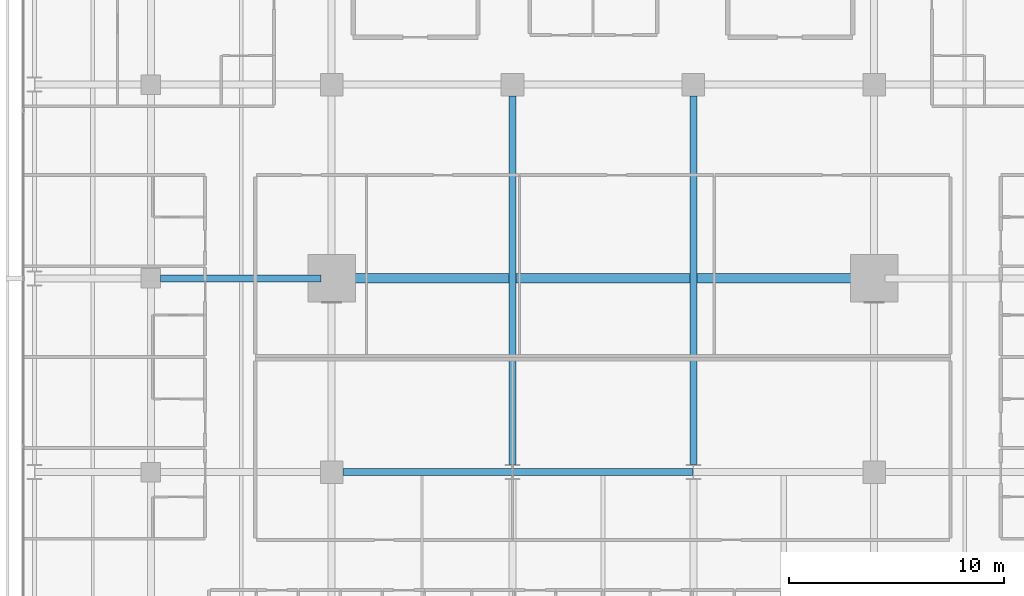
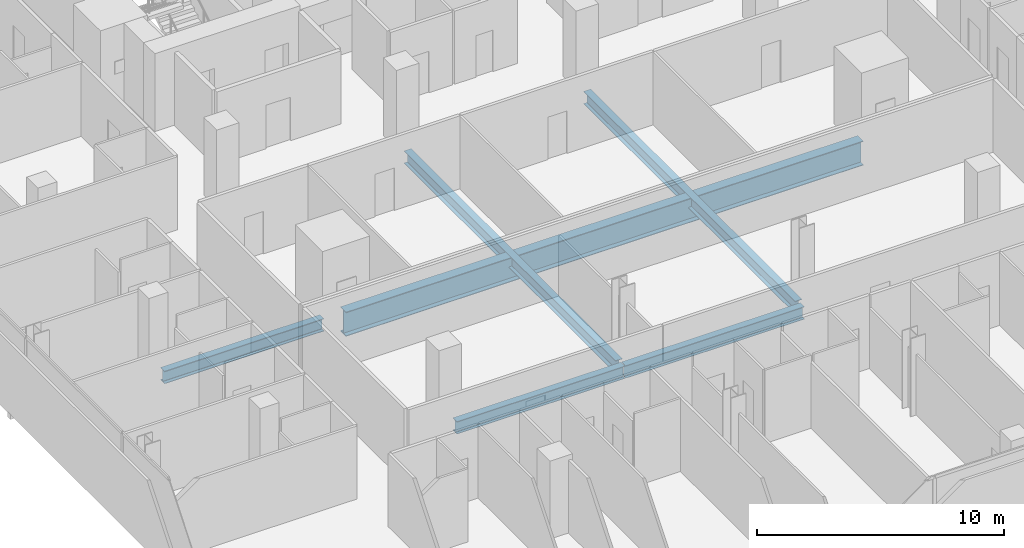
# One storey, part 13 of 40: 6 beams.
"""IFC4 building model written with IfcOpenShell, lengths in metres."""

from ifc_helpers import new_model, si_unit, direction, frame, origin, origin_2d, place, context, subcontext, project, spatial, i_section, extrude, material, material_profile, profile_set, type_object, element, save


model = new_model("IFC4")

# Units and contexts
model_context = context("Model", 3, precision=1e-05, world=origin(), true_north=direction((0.0, 1.0)))
body_context = subcontext(model_context, "Body", "Model", "MODEL_VIEW")
ifc_project = project(units=[si_unit("LENGTHUNIT", "METRE"), si_unit("AREAUNIT", "SQUARE_METRE"), si_unit("VOLUMEUNIT", "CUBIC_METRE"), si_unit("PLANEANGLEUNIT", "RADIAN"), si_unit("MASSUNIT", "GRAM", prefix="KILO")], contexts=[model_context])

# Site, building, storey
site_placement = place(None, origin())
site = spatial("IfcSite", under=ifc_project, at=site_placement, CompositionType="ELEMENT")
building_placement = place(site_placement, origin())
building = spatial("IfcBuilding", under=site, at=building_placement, Name="Maruvema Waterfront Hotel and Observation Tower", CompositionType="ELEMENT")
storey_placement = place(building_placement, frame((0.0, 0.0, 38.5)))
storey = spatial("IfcBuildingStorey", under=building, at=storey_placement, Name="L08", CompositionType="ELEMENT", Elevation=38.5)

# Beams
ifc_material_1 = material(Name="Steel ASTM A572 Grade 50", Category="steel")
ifc_material_profile_1 = material_profile(ifc_material_1, i_section(OverallWidth=0.326904296875, OverallDepth=0.6220703125, WebThickness=0.015380859375, FlangeThickness=0.0244140625, FilletRadius=0.01806640625, at=origin_2d()), Name="W610x195.0")
ifc_profile_set_1 = profile_set([ifc_material_profile_1], Name="Steel ASTM A572 Grade 50")
beam_type_1 = type_object("IfcBeamType", Name="Primary Floor Girder W610x195.0", PredefinedType="BEAM", material=ifc_profile_set_1)
beam_1_placement = place(storey_placement, frame((25.72509765625, 18.0, -0.551025390625), z_axis=(1.0, 0.0, 0.0), x_axis=(0.0, 1.0, 0.0)))
element("IfcBeam", 1, at=beam_1_placement, inside=storey, type_object=beam_type_1, Name="L08 Floor Girder EW-15", PredefinedType="BEAM", context=body_context, shape_type="SweptSolid", body=[
    extrude(i_section(OverallWidth=0.326904296875, OverallDepth=0.6220703125, WebThickness=0.015380859375, FlangeThickness=0.0244140625, FilletRadius=0.01806640625, at=origin_2d()), origin(), (0.0, 0.0, 1.0), 7.86083984375),
])
beam_2_placement = place(storey_placement, frame((33.614013671875, 18.0, -0.551025390625), z_axis=(1.0, 0.0, 0.0), x_axis=(0.0, 1.0, 0.0)))
element("IfcBeam", 2, at=beam_2_placement, inside=storey, type_object=beam_type_1, Name="L08 Floor Girder EW-16", PredefinedType="BEAM", context=body_context, shape_type="SweptSolid", body=[
    extrude(i_section(OverallWidth=0.326904296875, OverallDepth=0.6220703125, WebThickness=0.015380859375, FlangeThickness=0.0244140625, FilletRadius=0.01806640625, at=origin_2d()), origin(), (0.0, 0.0, 1.0), 8.3720703125),
])
beam_3_placement = place(storey_placement, frame((17.25, 27.0, -0.551025390625), z_axis=(1.0, 0.0, 0.0), x_axis=(0.0, 1.0, 0.0)))
element("IfcBeam", 3, at=beam_3_placement, inside=storey, type_object=beam_type_1, Name="L08 Floor Girder EW-21", PredefinedType="BEAM", context=body_context, shape_type="SweptSolid", body=[
    extrude(i_section(OverallWidth=0.326904296875, OverallDepth=0.6220703125, WebThickness=0.015380859375, FlangeThickness=0.0244140625, FilletRadius=0.01806640625, at=origin_2d()), origin(), (0.0, 0.0, 1.0), 7.449951171875),
])
for number, where, z_axis, x_axis, name in (
    (4, (33.60009765625, 18.35009765625, -0.551025390625), (0.0, 1.0, 0.0), (-1.0, 0.0, 0.0), "L08 Floor Girder NS-18"),
    (5, (42.0, 18.35009765625, -0.551025390625), (0.0, 1.0, 0.0), (-1.0, 0.0, 0.0), "L08 Floor Girder NS-21"),
):
    element("IfcBeam", number, at=place(storey_placement, frame(where, z_axis=z_axis, x_axis=x_axis)), inside=storey, type_object=beam_type_1, Name=name, PredefinedType="BEAM", context=body_context, shape_type="SweptSolid", body=[
        extrude(i_section(OverallWidth=0.326904296875, OverallDepth=0.6220703125, WebThickness=0.015380859375, FlangeThickness=0.0244140625, FilletRadius=0.01806640625, at=origin_2d()), origin(), (0.0, 0.0, 1.0), 17.125),
    ])
ifc_material_2 = material(Name="Steel ABNT NBR 7007 AR 415 (ASTM A572 Grade 50)", Category="steel")
ifc_material_profile_2 = material_profile(ifc_material_2, i_section(OverallWidth=0.449951171875, OverallDepth=1.199951171875, WebThickness=0.01904296875, FlangeThickness=0.031982421875, at=origin_2d()), Name="VS1200x366")
ifc_profile_set_2 = profile_set([ifc_material_profile_2], Name="Steel ABNT NBR 7007 AR 415 (ASTM A572 Grade 50)")
beam_type_2 = type_object("IfcBeamType", Name="Upper Setback Transfer Girder VS1200x366", PredefinedType="USERDEFINED", material=ifc_profile_set_2)
beam_4_placement = place(storey_placement, frame((25.699951171875, 27.0, -0.840087890625), z_axis=(1.0, 0.0, 0.0), x_axis=(0.0, 1.0, 0.0)))
element("IfcBeam", 6, at=beam_4_placement, inside=storey, type_object=beam_type_2, Name="L08 Floor Girder EW-22", ObjectType="TRANSFER GIRDER", PredefinedType="USERDEFINED", context=body_context, shape_type="SweptSolid", body=[
    extrude(i_section(OverallWidth=0.449951171875, OverallDepth=1.199951171875, WebThickness=0.01904296875, FlangeThickness=0.031982421875, at=origin_2d()), origin(), (0.0, 0.0, 1.0), 24.199951171875),
])

save(model, "model.ifc")
